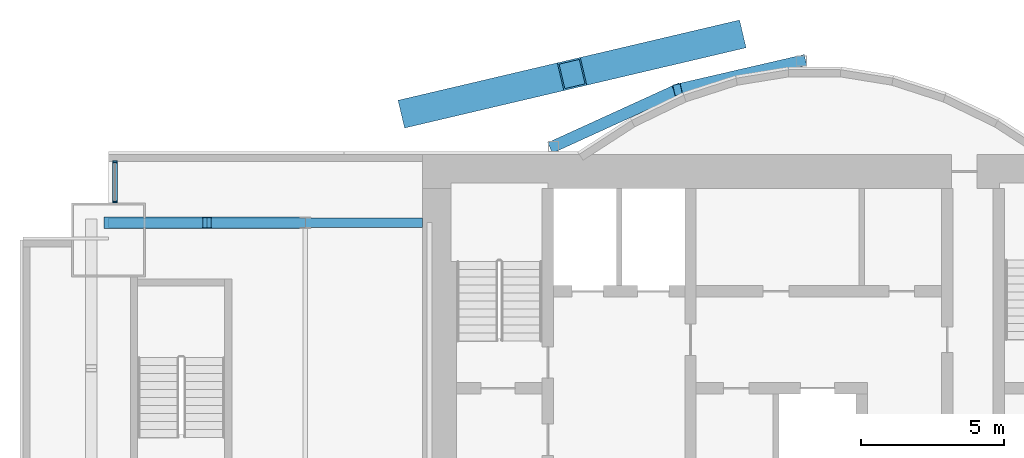
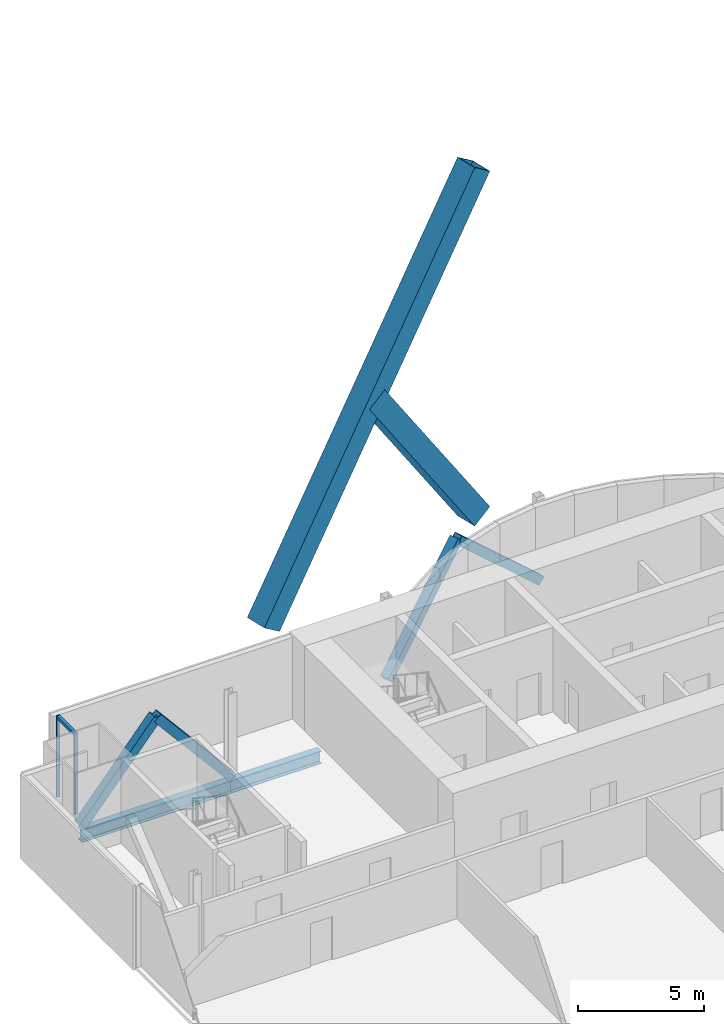
# One storey, part 12 of 22: 9 members, 2 beams, 1 element without a shape of its own.
"""IFC4 building model written with IfcOpenShell, lengths in metres."""

import ifcopenshell
import ifcopenshell.guid

model = None  # the IFC model being written
_history = None  # IfcOwnerHistory: only IFC2X3 demands one
_inside = {}  # id of a spatial element -> (the spatial element, [elements in it])
_under = {}  # id of a project, library or spatial element -> (it, [spatial elements below it])
_declared = {}  # id of a project -> (the project, [libraries it declares])
_typed = {}  # id of a type object -> (the type object, [elements of that type])
_made_of = {}  # id of a material, layer set ... -> (it, [elements and type objects made of it])


def new_model(schema):
    """Start an empty IFC model of exactly this schema.

    Asked for "IFC4X3", IfcOpenShell would pick the latest addendum, in which some entities
    have other attributes; the version numbers below select the first issue.
    IFC2X3 requires an IfcOwnerHistory on every rooted entity: one is made here for all.
    """
    global model, _history
    if schema == "IFC4X3":
        model = ifcopenshell.file(schema_version=(4, 3, 0, 0))
    else:
        model = ifcopenshell.file(schema=schema)
    _inside.clear()
    _under.clear()
    _declared.clear()
    _typed.clear()
    _made_of.clear()
    _history = None
    if model.schema == "IFC2X3":
        org = make("IfcOrganization", Name="unknown")
        user = make(
            "IfcPersonAndOrganization",
            ThePerson=make("IfcPerson", FamilyName="unknown"),
            TheOrganization=org,
        )
        app = make(
            "IfcApplication",
            ApplicationDeveloper=org,
            Version="unknown",
            ApplicationFullName="unknown",
            ApplicationIdentifier="unknown",
        )
        _history = make(
            "IfcOwnerHistory",
            OwningUser=user,
            OwningApplication=app,
            ChangeAction="ADDED",
            CreationDate=0,
        )
    return model


def make(cls, **values):
    """One entity of the class cls with the attributes given. An attribute that is None is left unset."""
    return model.create_entity(
        cls, **{name: value for name, value in values.items() if value is not None}
    )


def rooted(cls, **values):
    """An entity with a GlobalId (a new one), such as an element, a storey or a relation."""
    return make(cls, GlobalId=ifcopenshell.guid.new(), OwnerHistory=_history, **values)


def si_unit(unit_type, name, prefix=None):
    """IfcSIUnit, for example si_unit("LENGTHUNIT", "METRE", prefix="MILLI")."""
    return make("IfcSIUnit", UnitType=unit_type, Prefix=prefix, Name=name)


def assignment(units):
    """IfcUnitAssignment: the units of a project."""
    return None if units is None else make("IfcUnitAssignment", Units=units)


def point(xyz):
    """IfcCartesianPoint."""
    return None if xyz is None else make("IfcCartesianPoint", Coordinates=xyz)


def direction(xyz):
    """IfcDirection."""
    return None if xyz is None else make("IfcDirection", DirectionRatios=xyz)


def frame(location, z_axis=None, x_axis=None):
    """IfcAxis2Placement3D, a coordinate frame: its origin and axes. An axis left out is left unset."""
    return make(
        "IfcAxis2Placement3D",
        Location=point(location),
        Axis=direction(z_axis),
        RefDirection=direction(x_axis),
    )


def frame_2d(location, x_axis=None):
    """IfcAxis2Placement2D, a coordinate frame in the plane: its origin and x axis."""
    return make(
        "IfcAxis2Placement2D", Location=point(location), RefDirection=direction(x_axis)
    )


def origin():
    """The frame at (0, 0, 0) with its axes left unset."""
    return frame((0.0, 0.0, 0.0))


def origin_2d():
    """The frame at (0, 0) in the plane with its x axis left unset."""
    return frame_2d((0.0, 0.0))


def place(relative_to, where):
    """IfcLocalPlacement: puts the frame where relative to a parent placement (None: the world)."""
    return make(
        "IfcLocalPlacement", PlacementRelTo=relative_to, RelativePlacement=where
    )


def context(
    kind, dimensions, precision=None, world=None, true_north=None, identifier=None
):
    """IfcGeometricRepresentationContext, for example the 3D "Model" context."""
    return make(
        "IfcGeometricRepresentationContext",
        ContextIdentifier=identifier,
        ContextType=kind,
        CoordinateSpaceDimension=dimensions,
        Precision=precision,
        WorldCoordinateSystem=world,
        TrueNorth=true_north,
    )


def subcontext(parent, identifier, kind, view, scale=None):
    """IfcGeometricRepresentationSubContext, for example "Body" below "Model"."""
    return make(
        "IfcGeometricRepresentationSubContext",
        ContextIdentifier=identifier,
        ContextType=kind,
        ParentContext=parent,
        TargetScale=scale,
        TargetView=view,
    )


def project(units=None, contexts=None):
    """IfcProject with its units and contexts."""
    return rooted(
        "IfcProject",
        Name="project",
        RepresentationContexts=contexts,
        UnitsInContext=assignment(units),
    )


def spatial(cls, under=None, at=None, **own):
    """A site, building, storey or space (cls), placed at a placement, below another one or the project."""
    s = rooted(cls, ObjectPlacement=at, **own)
    if under is not None:
        _under.setdefault(under.id(), (under, []))[1].append(s)
    return s


def profile(cls, at=None, kind="AREA", **sizes):
    """A parametric profile (cls). Its sizes go by their IFC names, for example OverallWidth=200.0."""
    return make(cls, ProfileType=kind, Position=at, **sizes)


def rectangle(**sizes):
    """IfcRectangleProfileDef."""
    return profile("IfcRectangleProfileDef", **sizes)


def hollow_rectangle(**sizes):
    """IfcRectangleHollowProfileDef."""
    return profile("IfcRectangleHollowProfileDef", **sizes)


def i_section(**sizes):
    """IfcIShapeProfileDef."""
    return profile("IfcIShapeProfileDef", **sizes)


def extrude(swept, where, along, depth):
    """IfcExtrudedAreaSolid: the profile swept, set in the frame where, extruded along a direction by depth."""
    return make(
        "IfcExtrudedAreaSolid",
        SweptArea=swept,
        Position=where,
        ExtrudedDirection=direction(along),
        Depth=depth,
    )


def shape(context_of_items, identifier, shape_type, items):
    """IfcShapeRepresentation: the items that make up one representation, for example the "Body"."""
    return make(
        "IfcShapeRepresentation",
        ContextOfItems=context_of_items,
        RepresentationIdentifier=identifier,
        RepresentationType=shape_type,
        Items=items,
    )


def material(Name=None, Category=None):
    """IfcMaterial."""
    return make("IfcMaterial", Name=Name, Category=Category)


def material_profile(
    of_material, cross_section, Name=None, Category=None, Priority=None
):
    """IfcMaterialProfile: a cross section and its material."""
    return make(
        "IfcMaterialProfile",
        Name=Name,
        Material=of_material,
        Profile=cross_section,
        Priority=Priority,
        Category=Category,
    )


def profile_set(profiles, Name=None, composite=None):
    """IfcMaterialProfileSet."""
    return make(
        "IfcMaterialProfileSet",
        Name=Name,
        MaterialProfiles=profiles,
        CompositeProfile=composite,
    )


def made_of(thing, what):
    """Note that an element or type object is made of a material, layer set ...; save() writes the relation."""
    if what is not None:
        _made_of.setdefault(what.id(), (what, []))[1].append(thing)
    return thing


def type_object(cls, material=None, **own):
    """A type object (cls), such as IfcWallType, which elements share."""
    return made_of(rooted(cls, **own), material)


def element(
    cls,
    number,
    at=None,
    inside=None,
    cuts=None,
    type_object=None,
    material=None,
    context=None,
    identifier="Body",
    shape_type=None,
    held_by="IfcProductDefinitionShape",
    body=None,
    shapes=None,
    **own,
):
    """One element of the class cls, such as IfcWall. Its Tag is "e" and its number.

    at: its placement. inside: the storey or other place that contains it. cuts: it is an
    opening in that element (IfcRelVoidsElement). A single representation is given by context,
    identifier, shape_type and body (its items); several are given by shapes. held_by: the class
    of the entity that holds the representations. save() writes the other relations.
    """
    e = rooted(cls, Tag="e%d" % number, ObjectPlacement=at, **own)
    if body is not None:
        shapes = [shape(context, identifier, shape_type, body)]
    if shapes is not None:
        e.Representation = make(held_by, Representations=shapes)
    if inside is not None:
        _inside.setdefault(inside.id(), (inside, []))[1].append(e)
    if cuts is not None:
        rooted(
            "IfcRelVoidsElement", RelatingBuildingElement=cuts, RelatedOpeningElement=e
        )
    if type_object is not None:
        _typed.setdefault(type_object.id(), (type_object, []))[1].append(e)
    return made_of(e, material)


def aggregate(whole, parts):
    """IfcRelAggregates: a whole, such as a stair, and the parts it consists of."""
    return rooted("IfcRelAggregates", RelatingObject=whole, RelatedObjects=parts)


def save(model, path):
    """Write the relations noted so far, then the file.

    IfcRelAggregates (storeys below a building ...), IfcRelContainedInSpatialStructure (elements
    in a storey), IfcRelDefinesByType, IfcRelAssociatesMaterial and IfcRelDeclares: one each for
    every whole, place, type object, material and project.
    """
    for whole, parts in _under.values():
        aggregate(whole, parts)
    for where, things in _inside.values():
        rooted(
            "IfcRelContainedInSpatialStructure",
            RelatedElements=things,
            RelatingStructure=where,
        )
    for kind, things in _typed.values():
        rooted("IfcRelDefinesByType", RelatedObjects=things, RelatingType=kind)
    for what, things in _made_of.values():
        rooted("IfcRelAssociatesMaterial", RelatedObjects=things, RelatingMaterial=what)
    for by, libraries in _declared.values():
        rooted("IfcRelDeclares", RelatingContext=by, RelatedDefinitions=libraries)
    model.write(path)


model = new_model("IFC4")

# Units and contexts
model_context = context("Model", 3, precision=1e-05, world=origin(), true_north=direction((0.0, 1.0)))
body_context = subcontext(model_context, "Body", "Model", "MODEL_VIEW")
ifc_project = project(units=[si_unit("LENGTHUNIT", "METRE"), si_unit("AREAUNIT", "SQUARE_METRE"), si_unit("VOLUMEUNIT", "CUBIC_METRE"), si_unit("PLANEANGLEUNIT", "RADIAN"), si_unit("MASSUNIT", "GRAM", prefix="KILO")], contexts=[model_context])

# Site, building, storey
site_placement = place(None, origin())
site = spatial("IfcSite", under=ifc_project, at=site_placement, CompositionType="ELEMENT")
building_placement = place(site_placement, origin())
building = spatial("IfcBuilding", under=site, at=building_placement, Name="Bicima Exchange Tower", CompositionType="ELEMENT")
storey_placement = place(building_placement, frame((0.0, 0.0, 203.199951171875)))
storey = spatial("IfcBuildingStorey", under=building, at=storey_placement, Name="L45", CompositionType="ELEMENT", Elevation=203.199951171875)

# Members
ifc_material_1 = material(Name="Steel ASTM A572 Gr 50", Category="steel")
ifc_material_profile_1 = material_profile(ifc_material_1, hollow_rectangle(XDim=1.0, YDim=1.0, WallThickness=0.06005859375, at=origin_2d()))
ifc_profile_set_1 = profile_set([ifc_material_profile_1], Name="Steel ASTM A572 Gr 50")
member_type_1 = type_object("IfcMemberType", Name="Exo mega brace BOX 1000x1000x60", PredefinedType="BRACE", material=ifc_profile_set_1)
member_1_placement = place(storey_placement, frame((-22.333251953125, 1.5, 3.63330078125), z_axis=(0.54817644634, 0.128864251848, 0.826375573377), x_axis=(-0.228840031766, 0.973464041381, 0.0)))
element("IfcMember", 1, at=member_1_placement, inside=storey, type_object=member_type_1, Name="Exo mega brace rear", PredefinedType="BRACE", context=body_context, shape_type="SweptSolid", body=[
    extrude(hollow_rectangle(XDim=1.0, YDim=1.0, WallThickness=0.06005859375, at=origin_2d()), origin(), (0.0, 0.0, 1.0), 20.370361328125),
])
member_2_placement = place(storey_placement, frame((-11.166748046875, 4.125, 3.63330078125), z_axis=(-0.54817644634, -0.128864251848, 0.826375573377), x_axis=(0.228840031766, -0.973464041381, 0.0)))
element("IfcMember", 2, at=member_2_placement, inside=storey, type_object=member_type_1, Name="Exo mega brace rear", PredefinedType="BRACE", context=body_context, shape_type="SweptSolid", body=[
    extrude(hollow_rectangle(XDim=1.0, YDim=1.0, WallThickness=0.06005859375, at=origin_2d()), origin(), (0.0, 0.0, 1.0), 10.18505859375),
])

# Curtain wall, members
ifc_material_2 = material(Name="Anodised bronze aluminium", Category="aluminium")
curtain_wall_type = type_object("IfcCurtainWallType", Name="Front glass wall", PredefinedType="NOTDEFINED", material=ifc_material_2)
curtain_wall_placement = place(storey_placement, origin())
curtain_wall = element("IfcCurtainWall", 3, at=curtain_wall_placement, inside=storey, type_object=curtain_wall_type, Name="Front glass wall L45 run 1", PredefinedType="NOTDEFINED")
ifc_material_profile_2 = material_profile(ifc_material_2, rectangle(XDim=0.159912109375, YDim=0.06005859375, at=origin_2d()))
ifc_profile_set_2 = profile_set([ifc_material_profile_2], Name="Anodised bronze aluminium")
member_type_2 = type_object("IfcMemberType", Name="Front glass wall mullion 60 x 160", PredefinedType="MULLION", material=ifc_profile_set_2)
member_3_placement = place(storey_placement, frame((-32.77001953125, -0.260009765625, 0.0), z_axis=(0.0, 0.0, 1.0), x_axis=(1.0, 0.0, 0.0)))
member_3 = element("IfcMember", 4, at=member_3_placement, type_object=member_type_2, Name="Front glass wall mullion 1", PredefinedType="MULLION", context=body_context, shape_type="SweptSolid", body=[
    extrude(rectangle(XDim=0.159912109375, YDim=0.06005859375, at=origin_2d()), origin(), (0.0, 0.0, 1.0), 3.949951171875),
])
member_4_placement = place(storey_placement, frame((-32.77001953125, -1.669921875, 0.0), z_axis=(0.0, 0.0, 1.0), x_axis=(1.0, 0.0, 0.0)))
member_4 = element("IfcMember", 5, at=member_4_placement, type_object=member_type_2, Name="Front glass wall mullion 2", PredefinedType="MULLION", context=body_context, shape_type="SweptSolid", body=[
    extrude(rectangle(XDim=0.159912109375, YDim=0.06005859375, at=origin_2d()), origin(), (0.0, 0.0, 1.0), 3.949951171875),
])
ifc_material_profile_3 = material_profile(ifc_material_2, rectangle(XDim=0.159912109375, YDim=0.139892578125, at=origin_2d()))
ifc_profile_set_3 = profile_set([ifc_material_profile_3], Name="Anodised bronze aluminium")
member_type_3 = type_object("IfcMemberType", Name="Front glass wall transom 140 x 160", PredefinedType="USERDEFINED", material=ifc_profile_set_3)
member_5_placement = place(storey_placement, frame((-32.77001953125, -0.2900390625, 3.880126953125), z_axis=(0.0, -1.0, 0.0), x_axis=(1.0, 0.0, 0.0)))
member_5 = element("IfcMember", 6, at=member_5_placement, type_object=member_type_3, Name="Front glass wall transom 1.1", ObjectType="TRANSOM", PredefinedType="USERDEFINED", context=body_context, shape_type="SweptSolid", body=[
    extrude(rectangle(XDim=0.159912109375, YDim=0.139892578125, at=origin_2d()), origin(), (0.0, 0.0, 1.0), 1.349853515625),
])
aggregate(curtain_wall, [member_3, member_4, member_5])

# Members
ifc_material_profile_4 = material_profile(ifc_material_1, hollow_rectangle(XDim=0.406494140625, YDim=0.406494140625, WallThickness=0.0146484375, at=origin_2d()))
ifc_profile_set_4 = profile_set([ifc_material_profile_4], Name="Steel ASTM A572 Gr 50")
member_type_4 = type_object("IfcMemberType", Name="Mega brace HSS16x16x5/8", PredefinedType="BRACE", material=ifc_profile_set_4)
member_6_placement = place(storey_placement, frame((-17.39990234375, 0.278076171875, 0.0), z_axis=(0.690628963585, 0.315060460011, 0.650975069565), x_axis=(-0.415045223819, 0.909800781592, 0.0)))
element("IfcMember", 7, at=member_6_placement, inside=storey, type_object=member_type_4, Name="Mega brace rexo", PredefinedType="BRACE", context=body_context, shape_type="SweptSolid", body=[
    extrude(hollow_rectangle(XDim=0.406494140625, YDim=0.406494140625, WallThickness=0.0146484375, at=origin_2d()), origin(), (0.0, 0.0, 1.0), 6.29833984375),
])
member_7_placement = place(storey_placement, frame((-8.699951171875, 3.26904296875, 0.0), z_axis=(-0.717605620354, -0.166050509188, 0.676364843878), x_axis=(0.225438503722, -0.974257399787, 0.0)))
element("IfcMember", 8, at=member_7_placement, inside=storey, type_object=member_type_4, Name="Mega brace rexo", PredefinedType="BRACE", context=body_context, shape_type="SweptSolid", body=[
    extrude(hollow_rectangle(XDim=0.406494140625, YDim=0.406494140625, WallThickness=0.0146484375, at=origin_2d()), origin(), (0.0, 0.0, 1.0), 6.06201171875),
])
for number, where, z_axis, x_axis, name in (
    (9, (-33.0, -2.39990234375, 0.0), (0.643834042494, 0.0, 0.765165162384), (0.0, 1.0, 0.0), "Mega brace rear"),
    (10, (-26.10009765625, -2.39990234375, 0.0), (-0.643834042494, 0.0, 0.765165162384), (0.0, -1.0, 0.0), "Mega brace rear"),
):
    element("IfcMember", number, at=place(storey_placement, frame(where, z_axis=z_axis, x_axis=x_axis)), inside=storey, type_object=member_type_4, Name=name, PredefinedType="BRACE", context=body_context, shape_type="SweptSolid", body=[
        extrude(hollow_rectangle(XDim=0.406494140625, YDim=0.406494140625, WallThickness=0.0146484375, at=origin_2d()), origin(), (0.0, 0.0, 1.0), 5.3583984375),
    ])

# Beams
ifc_material_3 = material(Name="Steel ASTM A992 Gr 50", Category="steel")
ifc_material_profile_5 = material_profile(ifc_material_3, i_section(OverallWidth=0.3251953125, OverallDepth=0.612060546875, WebThickness=0.0126953125, FlangeThickness=0.01904296875, at=origin_2d()))
ifc_profile_set_5 = profile_set([ifc_material_profile_5], Name="Steel ASTM A992 Gr 50")
beam_type = type_object("IfcBeamType", Name="Rear girder W24x104", PredefinedType="BEAM", material=ifc_profile_set_5)
beam_1_placement = place(storey_placement, frame((-22.0, -2.39990234375, -0.4560546875), z_axis=(-1.0, 0.0, 0.0), x_axis=(0.0, -1.0, 0.0)))
element("IfcBeam", 11, at=beam_1_placement, inside=storey, type_object=beam_type, Name="Rear girder", PredefinedType="BEAM", context=body_context, shape_type="SweptSolid", body=[
    extrude(i_section(OverallWidth=0.3251953125, OverallDepth=0.612060546875, WebThickness=0.0126953125, FlangeThickness=0.01904296875, at=origin_2d()), origin(), (0.0, 0.0, 1.0), 4.10009765625),
])
beam_2_placement = place(storey_placement, frame((-26.10009765625, -2.39990234375, -0.4560546875), z_axis=(-1.0, 0.0, 0.0), x_axis=(0.0, -1.0, 0.0)))
element("IfcBeam", 12, at=beam_2_placement, inside=storey, type_object=beam_type, Name="Rear girder", PredefinedType="BEAM", context=body_context, shape_type="SweptSolid", body=[
    extrude(i_section(OverallWidth=0.3251953125, OverallDepth=0.612060546875, WebThickness=0.0126953125, FlangeThickness=0.01904296875, at=origin_2d()), origin(), (0.0, 0.0, 1.0), 6.89990234375),
])

save(model, "model.ifc")
